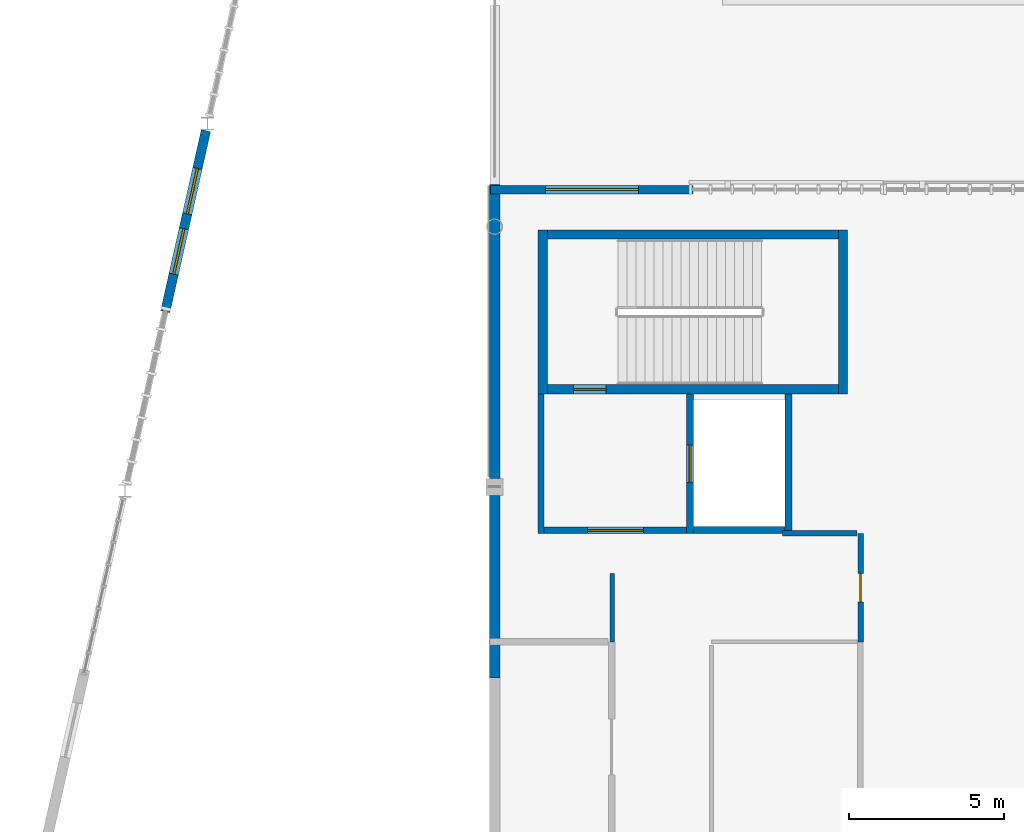
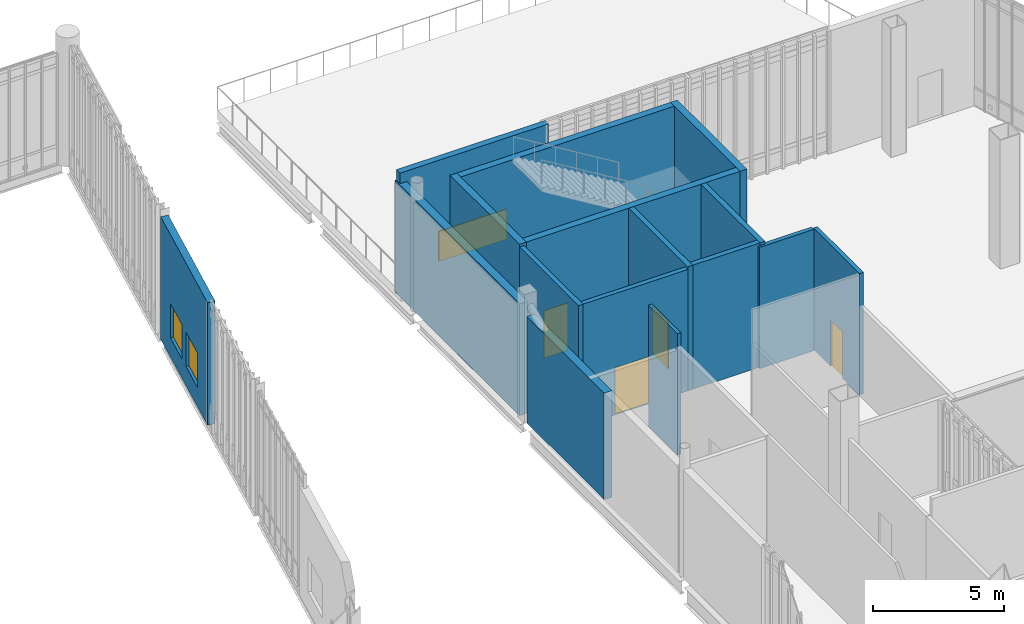
# One storey, part 113 of 135: 16 walls, 4 doors, 3 windows, 7 openings.
"""IFC4 building model written with IfcOpenShell, lengths in metres."""

from ifc_helpers import new_model, si_unit, direction, frame, frame_2d, origin, place, context, subcontext, project, spatial, rectangle, extrude, material, layer, layer_set, type_object, element, fill, save


model = new_model("IFC4")

# Units and contexts
model_context = context("Model", 3, precision=1e-05, world=origin(), true_north=direction((0.0, 1.0)))
body_context = subcontext(model_context, "Body", "Model", "MODEL_VIEW")
ifc_project = project(units=[si_unit("LENGTHUNIT", "METRE"), si_unit("AREAUNIT", "SQUARE_METRE"), si_unit("VOLUMEUNIT", "CUBIC_METRE"), si_unit("PLANEANGLEUNIT", "RADIAN"), si_unit("MASSUNIT", "GRAM", prefix="KILO")], contexts=[model_context])

# Site, building, storey
site_placement = place(None, origin())
site = spatial("IfcSite", under=ifc_project, at=site_placement, CompositionType="ELEMENT")
building_placement = place(site_placement, origin())
building = spatial("IfcBuilding", under=site, at=building_placement, Name="Larkvane Passage Sports Hall", CompositionType="ELEMENT")
storey_placement = place(building_placement, frame((0.0, 0.0, 10.800048828125)))
storey = spatial("IfcBuildingStorey", under=building, at=storey_placement, Name="L02", CompositionType="ELEMENT", Elevation=10.800048828125)

# Walls
ifc_material_1 = material(Name="Concrete C50/60", Category="concrete")
ifc_layer_1 = layer(ifc_material_1, 0.360107421875)
ifc_layer_set_1 = layer_set([ifc_layer_1], Name="Concrete C50/60")
wall_type_1 = type_object("IfcWallType", Name="WL-CORE-360", PredefinedType="SHEAR", material=ifc_layer_set_1)
for number, where, z_axis, x_axis, name in (
    (1, (126.14990234375, 78.60009765625, 0.0), (0.0, 0.0, 1.0), (0.0, 1.0, 0.0), "Core shear wall WAL-CORE-C6-L02-W"),
    (2, (135.85009765625, 83.89990234375, 0.0), (0.0, 0.0, 1.0), (0.0, -1.0, 0.0), "Core shear wall WAL-CORE-C6-L02-E"),
):
    element("IfcWall", number, at=place(storey_placement, frame(where, z_axis=z_axis, x_axis=x_axis)), inside=storey, type_object=wall_type_1, Name=name, PredefinedType="SHEAR", context=body_context, shape_type="SweptSolid", body=[
        extrude(rectangle(XDim=5.2998046875, YDim=0.300048828125, at=frame_2d((2.64990234375, 0.0))), origin(), (0.0, 0.0, 1.0), 5.77490234375),
    ])

# Wall, opening, door
wall_1_placement = place(storey_placement, frame((135.699951171875, 78.75, 0.0), z_axis=(0.0, 0.0, 1.0), x_axis=(-1.0, 0.0, 0.0)))
wall_1 = element("IfcWall", 3, at=wall_1_placement, inside=storey, type_object=wall_type_1, Name="Core shear wall WAL-CORE-C6-L02-S", PredefinedType="SHEAR", context=body_context, shape_type="SweptSolid", body=[
    extrude(rectangle(XDim=9.39990234375, YDim=0.300048828125, at=frame_2d((4.699951171875, 0.0))), origin(), (0.0, 0.0, 1.0), 5.77490234375),
])
opening_1_placement = place(wall_1_placement, frame((7.5, 0.0, 0.0)))
opening_1 = element("IfcOpeningElement", 4, at=opening_1_placement, cuts=wall_1, Name="Opening DF-01", PredefinedType="OPENING", context=body_context, shape_type="SweptSolid", body=[
    extrude(rectangle(XDim=1.050048828125, YDim=2.199951171875, at=frame_2d((0.52490234375, 1.10009765625))), frame((0.0, 0.159912109375, 0.0), z_axis=(0.0, -1.0, 0.0), x_axis=(1.0, 0.0, 0.0)), (0.0, 0.0, 1.0), 0.320068359375),
])
ifc_material_2 = material(Name="Steel S355JR smoke-sealed fire door", Category="steel")
door_type_1 = type_object("IfcDoorType", Name="DR-FIRE-1050", OperationType="NOTDEFINED", PredefinedType="DOOR", material=ifc_material_2)
door_1_placement = place(opening_1_placement, origin())
door_1 = element("IfcDoor", 5, at=door_1_placement, inside=storey, type_object=door_type_1, Name="Stair ST-06 L02 fire door", OperationType="SINGLE_SWING_LEFT", OverallHeight=2.199951171875, OverallWidth=1.050048828125, PredefinedType="DOOR", context=body_context, shape_type="SweptSolid", body=[
    extrude(rectangle(XDim=1.050048828125, YDim=2.199951171875, at=frame_2d((0.52490234375, 1.10009765625))), frame((0.0, 0.02490234375, 0.0), z_axis=(0.0, -1.0, 0.0), x_axis=(1.0, 0.0, 0.0)), (0.0, 0.0, 1.0), 0.050048828125),
])
fill(opening_1, door_1)

# Wall
wall_2_placement = place(storey_placement, frame((126.300048828125, 83.75, 0.0), z_axis=(0.0, 0.0, 1.0), x_axis=(1.0, 0.0, 0.0)))
element("IfcWall", 6, at=wall_2_placement, inside=storey, type_object=wall_type_1, Name="Core shear wall WAL-CORE-C6-L02-N", PredefinedType="SHEAR", context=body_context, shape_type="SweptSolid", body=[
    extrude(rectangle(XDim=9.39990234375, YDim=0.300048828125, at=frame_2d((4.699951171875, 0.0))), origin(), (0.0, 0.0, 1.0), 5.77490234375),
])

# Wall, opening, window
ifc_material_3 = material(Name="Concrete C40/50", Category="concrete")
ifc_layer_2 = layer(ifc_material_3, 0.27490234375)
ifc_layer_set_2 = layer_set([ifc_layer_2], Name="Concrete C40/50")
wall_type_2 = type_object("IfcWallType", Name="WL-EXT-275", PredefinedType="SOLIDWALL", material=ifc_layer_set_2)
wall_3_placement = place(storey_placement, frame((124.468017578125, 85.199951171875, 0.0), z_axis=(0.0, 0.0, 1.0), x_axis=(1.0, 0.0, 0.0)))
wall_3 = element("IfcWall", 7, at=wall_3_placement, inside=storey, type_object=wall_type_2, Name="Exterior wall WAL-EXT-L02-113", PredefinedType="SOLIDWALL", context=body_context, shape_type="SweptSolid", body=[
    extrude(rectangle(XDim=6.5390625, YDim=0.27490234375, at=frame_2d((3.26953125, 0.0))), origin(), (0.0, 0.0, 1.0), 5.699951171875),
])
opening_2_placement = place(wall_3_placement, frame((1.77001953125, 0.0, 0.89990234375)))
opening_2 = element("IfcOpeningElement", 8, at=opening_2_placement, cuts=wall_3, Name="Opening W-06", PredefinedType="OPENING", context=body_context, shape_type="SweptSolid", body=[
    extrude(rectangle(XDim=3.0, YDim=1.39990234375, at=frame_2d((1.5, 0.699951171875))), frame((0.0, 0.1474609375, 0.0), z_axis=(0.0, -1.0, 0.0), x_axis=(1.0, 0.0, 0.0)), (0.0, 0.0, 1.0), 0.294921875),
])
ifc_material_4 = material(Name="Thermally broken aluminium and laminated low-E glass", Category="aluminium")
window_type_1 = type_object("IfcWindowType", Name="WN-FIX-3000x1400", PartitioningType="TRIPLE_PANEL_VERTICAL", PredefinedType="WINDOW", material=ifc_material_4)
window_1_placement = place(opening_2_placement, origin())
window_1 = element("IfcWindow", 9, at=window_1_placement, inside=storey, type_object=window_type_1, Name="Window L02-038", OverallHeight=1.39990234375, OverallWidth=3.0, PartitioningType="TRIPLE_PANEL_VERTICAL", PredefinedType="WINDOW", context=body_context, shape_type="SweptSolid", body=[
    extrude(rectangle(XDim=3.0, YDim=1.39990234375, at=frame_2d((1.5, 0.699951171875))), frame((0.0, 0.030029296875, 0.0), z_axis=(0.0, -1.0, 0.0), x_axis=(1.0, 0.0, 0.0)), (0.0, 0.0, 1.0), 0.06005859375),
])
fill(opening_2, window_1)

# Wall, openings, windows
ifc_material_5 = material(Name="Precast concrete C45/55", Category="concrete")
ifc_layer_3 = layer(ifc_material_5, 0.31005859375)
ifc_layer_set_3 = layer_set([ifc_layer_3], Name="Precast concrete C45/55")
wall_type_3 = type_object("IfcWallType", Name="WL-EXT-310", PredefinedType="SOLIDWALL", material=ifc_layer_set_3)
wall_4_placement = place(storey_placement, frame((115.281005859375, 87.10009765625, 0.0), z_axis=(0.0, 0.0, 1.0), x_axis=(-0.219281403732, -0.975661655482, 0.0)))
wall_4 = element("IfcWall", 10, at=wall_4_placement, inside=storey, type_object=wall_type_3, Name="Exterior wall WAL-EXT-L02-138", PredefinedType="SOLIDWALL", context=body_context, shape_type="SweptSolid", body=[
    extrude(rectangle(XDim=5.990966796875, YDim=0.31005859375, at=frame_2d((2.99560546875, 0.0))), origin(), (0.0, 0.0, 1.0), 5.699951171875),
])
opening_3_placement = place(wall_4_placement, frame((1.2470703125, 0.0, 0.89990234375)))
opening_3 = element("IfcOpeningElement", 11, at=opening_3_placement, cuts=wall_4, Name="Opening W-01", PredefinedType="OPENING", context=body_context, shape_type="SweptSolid", body=[
    extrude(rectangle(XDim=1.5, YDim=1.60009765625, at=frame_2d((0.75, 0.800048828125))), frame((0.0, 0.1650390625, 0.0), z_axis=(0.0, -1.0, 0.0), x_axis=(1.0, 0.0, 0.0)), (0.0, 0.0, 1.0), 0.330078125),
])
opening_4_placement = place(wall_4_placement, frame((3.243896484375, 0.0, 0.89990234375)))
opening_4 = element("IfcOpeningElement", 12, at=opening_4_placement, cuts=wall_4, Name="Opening W-01", PredefinedType="OPENING", context=body_context, shape_type="SweptSolid", body=[
    extrude(rectangle(XDim=1.5, YDim=1.60009765625, at=frame_2d((0.75, 0.800048828125))), frame((0.0, 0.1650390625, 0.0), z_axis=(0.0, -1.0, 0.0), x_axis=(1.0, 0.0, 0.0)), (0.0, 0.0, 1.0), 0.330078125),
])
window_type_2 = type_object("IfcWindowType", Name="WN-FIX-1500x1600", PartitioningType="SINGLE_PANEL", PredefinedType="WINDOW", material=ifc_material_4)
window_2_placement = place(opening_3_placement, origin())
window_2 = element("IfcWindow", 13, at=window_2_placement, inside=storey, type_object=window_type_2, Name="Window L02-045", OverallHeight=1.60009765625, OverallWidth=1.5, PartitioningType="SINGLE_PANEL", PredefinedType="WINDOW", context=body_context, shape_type="SweptSolid", body=[
    extrude(rectangle(XDim=1.5, YDim=1.60009765625, at=frame_2d((0.75, 0.800048828125))), frame((0.0, 0.030029296875, 0.0), z_axis=(0.0, -1.0, 0.0), x_axis=(1.0, 0.0, 0.0)), (0.0, 0.0, 1.0), 0.06005859375),
])
fill(opening_3, window_2)
window_3_placement = place(opening_4_placement, origin())
window_3 = element("IfcWindow", 14, at=window_3_placement, inside=storey, type_object=window_type_2, Name="Window L02-046", OverallHeight=1.60009765625, OverallWidth=1.5, PartitioningType="SINGLE_PANEL", PredefinedType="WINDOW", context=body_context, shape_type="SweptSolid", body=[
    extrude(rectangle(XDim=1.5, YDim=1.60009765625, at=frame_2d((0.75, 0.800048828125))), frame((0.0, 0.030029296875, 0.0), z_axis=(0.0, -1.0, 0.0), x_axis=(1.0, 0.0, 0.0)), (0.0, 0.0, 1.0), 0.06005859375),
])
fill(opening_4, window_3)

# Walls
ifc_layer_4 = layer(ifc_material_5, 0.344970703125)
ifc_layer_set_4 = layer_set([ifc_layer_4], Name="Precast concrete C45/55")
wall_type_4 = type_object("IfcWallType", Name="WL-EXT-345", PredefinedType="SOLIDWALL", material=ifc_layer_set_4)
wall_5_placement = place(storey_placement, frame((124.60009765625, 69.434326171875, 0.0), z_axis=(0.0, 0.0, 1.0), x_axis=(0.0, 1.0, 0.0)))
element("IfcWall", 15, at=wall_5_placement, inside=storey, type_object=wall_type_4, Name="Exterior wall WAL-EXT-L02-111", PredefinedType="SOLIDWALL", context=body_context, shape_type="SweptSolid", body=[
    extrude(rectangle(XDim=5.894775390625, YDim=0.344970703125, at=frame_2d((2.947265625, 0.0))), origin(), (0.0, 0.0, 1.0), 4.9560546875),
])
wall_6_placement = place(storey_placement, frame((124.60009765625, 75.87109375, 0.0), z_axis=(0.0, 0.0, 1.0), x_axis=(0.0, 1.0, 0.0)))
element("IfcWall", 16, at=wall_6_placement, inside=storey, type_object=wall_type_4, Name="Exterior wall WAL-EXT-L02-112", PredefinedType="SOLIDWALL", context=body_context, shape_type="SweptSolid", body=[
    extrude(rectangle(XDim=9.494384765625, YDim=0.344970703125, at=frame_2d((4.7470703125, 0.0))), origin(), (0.0, 0.0, 1.0), 5.2080078125),
])

# Wall, opening, door
ifc_layer_5 = layer(ifc_material_3, 0.199951171875)
ifc_layer_set_5 = layer_set([ifc_layer_5], Name="Concrete C40/50")
wall_type_5 = type_object("IfcWallType", Name="WL-LOBBY-200", PredefinedType="SOLIDWALL", material=ifc_layer_set_5)
wall_7_placement = place(storey_placement, frame((126.199951171875, 74.199951171875, 0.0), z_axis=(0.0, 0.0, 1.0), x_axis=(1.0, 0.0, 0.0)))
wall_7 = element("IfcWall", 17, at=wall_7_placement, inside=storey, type_object=wall_type_5, Name="Protected stair lobby wall C6 L02", PredefinedType="SOLIDWALL", context=body_context, shape_type="SweptSolid", body=[
    extrude(rectangle(XDim=4.60009765625, YDim=0.199951171875, at=frame_2d((2.300048828125, 0.0))), origin(), (0.0, 0.0, 1.0), 5.64990234375),
])
opening_5_placement = place(wall_7_placement, frame((1.39990234375, 0.0, 0.0)))
opening_5 = element("IfcOpeningElement", 18, at=opening_5_placement, cuts=wall_7, Name="Opening DF-02", PredefinedType="OPENING", context=body_context, shape_type="SweptSolid", body=[
    extrude(rectangle(XDim=1.800048828125, YDim=2.199951171875, at=frame_2d((0.89990234375, 1.10009765625))), frame((0.0, 0.10986328125, 0.0), z_axis=(0.0, -1.0, 0.0), x_axis=(1.0, 0.0, 0.0)), (0.0, 0.0, 1.0), 0.219970703125),
])
ifc_material_6 = material(Name="Steel S355JR double smoke-sealed fire door", Category="steel")
door_type_2 = type_object("IfcDoorType", Name="DR-FIRE-1800", OperationType="DOUBLE_DOOR_SINGLE_SWING", PredefinedType="DOOR", material=ifc_material_6)
door_2_placement = place(opening_5_placement, origin())
door_2 = element("IfcDoor", 19, at=door_2_placement, inside=storey, type_object=door_type_2, Name="Lobby smoke door C6 L02", OperationType="DOUBLE_DOOR_SINGLE_SWING", OverallHeight=2.199951171875, OverallWidth=1.800048828125, PredefinedType="DOOR", context=body_context, shape_type="SweptSolid", body=[
    extrude(rectangle(XDim=1.800048828125, YDim=2.199951171875, at=frame_2d((0.89990234375, 1.10009765625))), frame((0.0, 0.02490234375, 0.0), z_axis=(0.0, -1.0, 0.0), x_axis=(1.0, 0.0, 0.0)), (0.0, 0.0, 1.0), 0.050048828125),
])
fill(opening_5, door_2)

# Walls
wall_8_placement = place(storey_placement, frame((126.10009765625, 74.10009765625, 0.0), z_axis=(0.0, 0.0, 1.0), x_axis=(0.0, 1.0, 0.0)))
element("IfcWall", 20, at=wall_8_placement, inside=storey, type_object=wall_type_5, Name="Lobby side wall C6 L02", PredefinedType="SOLIDWALL", context=body_context, shape_type="SweptSolid", body=[
    extrude(rectangle(XDim=4.5, YDim=0.199951171875, at=frame_2d((2.25, 0.0))), origin(), (0.0, 0.0, 1.0), 5.64990234375),
])
ifc_material_7 = material(Name="Gypsum acoustic partition")
ifc_layer_6 = layer(ifc_material_7, 0.14990234375)
ifc_layer_set_6 = layer_set([ifc_layer_6], Name="Gypsum acoustic partition")
wall_type_6 = type_object("IfcWallType", Name="WL-PART-150", PredefinedType="PARTITIONING", material=ifc_layer_set_6)
wall_9_placement = place(storey_placement, frame((128.39990234375, 70.60009765625, 0.0), z_axis=(0.0, 0.0, 1.0), x_axis=(0.0, 1.0, 0.0)))
element("IfcWall", 21, at=wall_9_placement, inside=storey, type_object=wall_type_6, Name="Interior partition WAL-PART-L02-0276", PredefinedType="PARTITIONING", context=body_context, shape_type="SweptSolid", body=[
    extrude(rectangle(XDim=2.199951171875, YDim=0.14990234375, at=frame_2d((1.10009765625, 0.0))), origin(), (0.0, 0.0, 1.0), 5.64990234375),
])
ifc_material_8 = material(Name="Gypsum high-bay court partition")
ifc_layer_7 = layer(ifc_material_8, 0.179931640625)
ifc_layer_set_7 = layer_set([ifc_layer_7], Name="Gypsum high-bay court partition")
wall_type_7 = type_object("IfcWallType", Name="WL-PART-180", PredefinedType="PARTITIONING", material=ifc_layer_set_7)
wall_10_placement = place(storey_placement, frame((133.89990234375, 74.10009765625, 0.0), z_axis=(0.0, 0.0, 1.0), x_axis=(1.0, 0.0, 0.0)))
element("IfcWall", 22, at=wall_10_placement, inside=storey, type_object=wall_type_7, Name="Interior partition WAL-PART-L02-0277", PredefinedType="PARTITIONING", context=body_context, shape_type="SweptSolid", body=[
    extrude(rectangle(XDim=2.400146484375, YDim=0.179931640625, at=frame_2d((1.2001953125, 0.0))), origin(), (0.0, 0.0, 1.0), 5.64990234375),
])

# Wall, opening, door
ifc_material_9 = material(Name="Moisture-resistant shaftliner partition")
ifc_layer_8 = layer(ifc_material_9, 0.175048828125)
ifc_layer_set_8 = layer_set([ifc_layer_8], Name="Moisture-resistant shaftliner partition")
wall_type_8 = type_object("IfcWallType", Name="WL-PLUMB-175", PredefinedType="PLUMBINGWALL", material=ifc_layer_set_8)
wall_11_placement = place(storey_placement, frame((136.419921875, 70.60009765625, 0.0), z_axis=(0.0, 0.0, 1.0), x_axis=(0.0, 1.0, 0.0)))
wall_11 = element("IfcWall", 23, at=wall_11_placement, inside=storey, type_object=wall_type_8, Name="Interior partition WAL-PART-L02-0237", PredefinedType="PLUMBINGWALL", context=body_context, shape_type="SweptSolid", body=[
    extrude(rectangle(XDim=3.5, YDim=0.175048828125, at=frame_2d((1.75, 0.0))), origin(), (0.0, 0.0, 1.0), 5.64990234375),
])
opening_6_placement = place(wall_11_placement, frame((1.2900390625, 0.0, 0.0)))
opening_6 = element("IfcOpeningElement", 24, at=opening_6_placement, cuts=wall_11, Name="Opening DI-02", PredefinedType="OPENING", context=body_context, shape_type="SweptSolid", body=[
    extrude(rectangle(XDim=0.919921875, YDim=2.14990234375, at=frame_2d((0.4599609375, 1.074951171875))), frame((0.0, 0.097412109375, 0.0), z_axis=(0.0, -1.0, 0.0), x_axis=(1.0, 0.0, 0.0)), (0.0, 0.0, 1.0), 0.195068359375),
])
ifc_material_10 = material(Name="Moisture-resistant laminate room door")
door_type_3 = type_object("IfcDoorType", Name="DR-INT-900", OperationType="NOTDEFINED", PredefinedType="DOOR", material=ifc_material_10)
door_3_placement = place(opening_6_placement, origin())
door_3 = element("IfcDoor", 25, at=door_3_placement, inside=storey, type_object=door_type_3, Name="Interior door L02-0082", OperationType="SINGLE_SWING_RIGHT", OverallHeight=2.14990234375, OverallWidth=0.919921875, PredefinedType="DOOR", context=body_context, shape_type="SweptSolid", body=[
    extrude(rectangle(XDim=0.919921875, YDim=2.14990234375, at=frame_2d((0.4599609375, 1.074951171875))), frame((0.0, 0.02490234375, 0.0), z_axis=(0.0, -1.0, 0.0), x_axis=(1.0, 0.0, 0.0)), (0.0, 0.0, 1.0), 0.050048828125),
])
fill(opening_6, door_3)

ifc_layer_9 = layer(ifc_material_3, 0.219970703125)
ifc_layer_set_9 = layer_set([ifc_layer_9], Name="Concrete C40/50")
wall_type_9 = type_object("IfcWallType", Name="WL-SHAFT-220", PredefinedType="SOLIDWALL", material=ifc_layer_set_9)
wall_12_placement = place(storey_placement, frame((130.909912109375, 74.10009765625, 0.0), z_axis=(0.0, 0.0, 1.0), x_axis=(0.0, 1.0, 0.0)))
wall_12 = element("IfcWall", 26, at=wall_12_placement, inside=storey, type_object=wall_type_9, Name="Lift shaft front wall L-06 L02", PredefinedType="SOLIDWALL", context=body_context, shape_type="SweptSolid", body=[
    extrude(rectangle(XDim=4.5, YDim=0.219970703125, at=frame_2d((2.25, 0.0))), origin(), (0.0, 0.0, 1.0), 5.77490234375),
])
opening_7_placement = place(wall_12_placement, frame((1.64990234375, 0.0, 0.0)))
opening_7 = element("IfcOpeningElement", 27, at=opening_7_placement, cuts=wall_12, Name="Opening LD-01", PredefinedType="OPENING", context=body_context, shape_type="SweptSolid", body=[
    extrude(rectangle(XDim=1.199951171875, YDim=2.199951171875, at=frame_2d((0.60009765625, 1.10009765625))), frame((0.0, 0.119873046875, 0.0), z_axis=(0.0, -1.0, 0.0), x_axis=(1.0, 0.0, 0.0)), (0.0, 0.0, 1.0), 0.239990234375),
])
ifc_material_11 = material(Name="Stainless steel S355JR lift landing door", Category="steel")
door_type_4 = type_object("IfcDoorType", Name="DR-LIFT-1200", OperationType="SLIDING_TO_LEFT", PredefinedType="DOOR", material=ifc_material_11)
door_4_placement = place(opening_7_placement, origin())
door_4 = element("IfcDoor", 28, at=door_4_placement, inside=storey, type_object=door_type_4, Name="Lift landing door L-06 L02", OperationType="SLIDING_TO_LEFT", OverallHeight=2.199951171875, OverallWidth=1.199951171875, PredefinedType="DOOR", context=body_context, shape_type="SweptSolid", body=[
    extrude(rectangle(XDim=1.199951171875, YDim=2.199951171875, at=frame_2d((0.60009765625, 1.10009765625))), frame((0.0, 0.02490234375, 0.0), z_axis=(0.0, -1.0, 0.0), x_axis=(1.0, 0.0, 0.0)), (0.0, 0.0, 1.0), 0.050048828125),
])
fill(opening_7, door_4)

# Walls
wall_13_placement = place(storey_placement, frame((134.090087890625, 74.10009765625, 0.0), z_axis=(0.0, 0.0, 1.0), x_axis=(0.0, 1.0, 0.0)))
element("IfcWall", 29, at=wall_13_placement, inside=storey, type_object=wall_type_9, Name="Lift shaft rear wall L-06 L02", PredefinedType="SOLIDWALL", context=body_context, shape_type="SweptSolid", body=[
    extrude(rectangle(XDim=4.5, YDim=0.219970703125, at=frame_2d((2.25, 0.0))), origin(), (0.0, 0.0, 1.0), 5.77490234375),
])
wall_14_placement = place(storey_placement, frame((131.02001953125, 74.2099609375, 0.0), z_axis=(0.0, 0.0, 1.0), x_axis=(1.0, 0.0, 0.0)))
element("IfcWall", 30, at=wall_14_placement, inside=storey, type_object=wall_type_9, Name="Lift shaft end wall L-06 L02", PredefinedType="SOLIDWALL", context=body_context, shape_type="SweptSolid", body=[
    extrude(rectangle(XDim=2.9599609375, YDim=0.219970703125, at=frame_2d((1.47998046875, 0.0))), origin(), (0.0, 0.0, 1.0), 5.77490234375),
])

save(model, "model.ifc")
